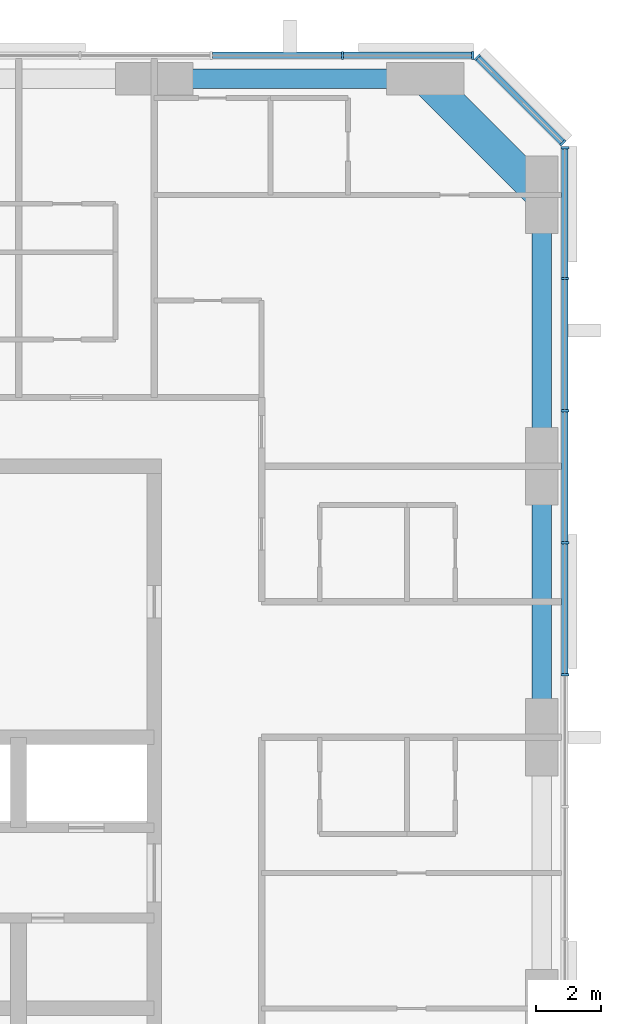
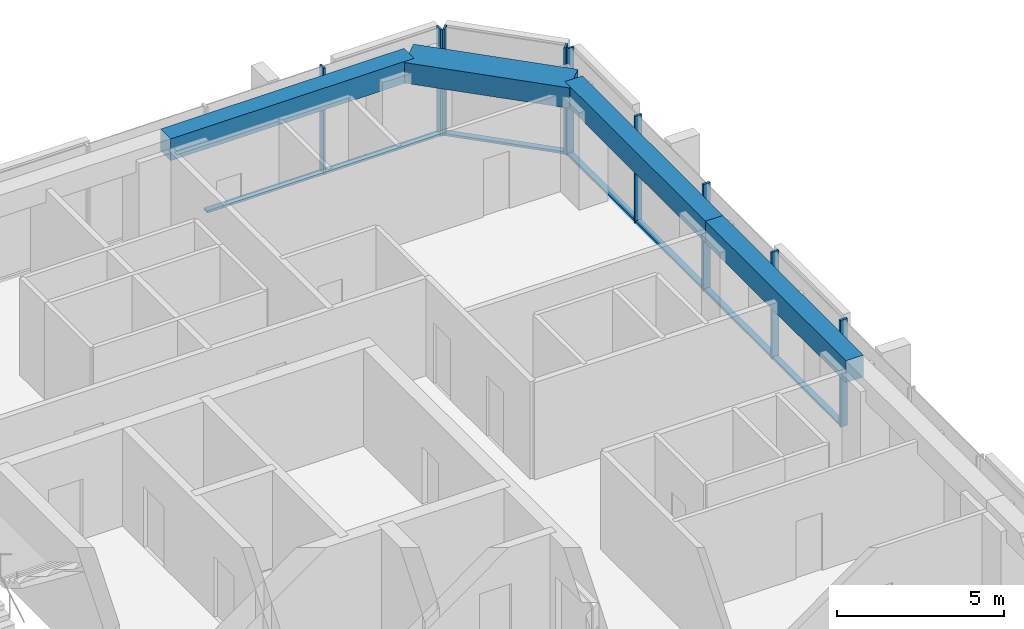
# One storey, part 5 of 12: 16 members, 4 beams, 3 elements without a shape of their own.
"""IFC4 building model written with IfcOpenShell, lengths in metres."""

from ifc_helpers import new_model, si_unit, direction, frame, origin, origin_2d, place, context, subcontext, project, spatial, rectangle, extrude, material, material_profile, profile_set, type_object, element, aggregate, save


model = new_model("IFC4")

# Units and contexts
model_context = context("Model", 3, precision=1e-05, world=origin(), true_north=direction((0.0, 1.0)))
body_context = subcontext(model_context, "Body", "Model", "MODEL_VIEW")
ifc_project = project(units=[si_unit("LENGTHUNIT", "METRE"), si_unit("AREAUNIT", "SQUARE_METRE"), si_unit("VOLUMEUNIT", "CUBIC_METRE"), si_unit("PLANEANGLEUNIT", "RADIAN"), si_unit("MASSUNIT", "GRAM", prefix="KILO")], contexts=[model_context])

# Site, building, storey
site_placement = place(None, origin())
site = spatial("IfcSite", under=ifc_project, at=site_placement, CompositionType="ELEMENT")
building_placement = place(site_placement, origin())
building = spatial("IfcBuilding", under=site, at=building_placement, Name="Dunama Terrace Hotel", CompositionType="ELEMENT")
storey_placement = place(building_placement, frame((0.0, 0.0, 264.60009765625)))
storey = spatial("IfcBuildingStorey", under=building, at=storey_placement, Name="L68", CompositionType="ELEMENT", Elevation=264.60009765625)

# Curtain wall, members
ifc_material_1 = material(Name="Aluminium curtain wall system", Category="aluminium")
curtain_wall_type = type_object("IfcCurtainWallType", Name="Unitised fritted glass wall CW-D", PredefinedType="NOTDEFINED", material=ifc_material_1)
curtain_wall_1_placement = place(storey_placement, origin())
curtain_wall_1 = element("IfcCurtainWall", 1, at=curtain_wall_1_placement, inside=storey, type_object=curtain_wall_type, Name="Unitised fritted glass wall CW-D L68", PredefinedType="NOTDEFINED")
ifc_material_2 = material(Name="Aluminium mullion", Category="aluminium")
ifc_material_profile_1 = material_profile(ifc_material_2, rectangle(XDim=0.070068359375, YDim=0.239990234375, at=origin_2d()), Name="CWD MULLION 70X240")
ifc_profile_set_1 = profile_set([ifc_material_profile_1], Name="Aluminium mullion")
member_type_1 = type_object("IfcMemberType", Name="CWD mullion 70x240", PredefinedType="MULLION", material=ifc_profile_set_1)
member_1_placement = place(storey_placement, frame((54.719970703125, 35.535888671875, 0.0), z_axis=(0.0, 0.0, 1.0), x_axis=(0.0, 1.0, 0.0)))
member_1 = element("IfcMember", 2, at=member_1_placement, type_object=member_type_1, Name="CWD mullion", PredefinedType="MULLION", context=body_context, shape_type="SweptSolid", body=[
    extrude(rectangle(XDim=0.070068359375, YDim=0.239990234375, at=origin_2d()), origin(), (0.0, 0.0, 1.0), 3.89990234375),
])
member_2_placement = place(storey_placement, frame((54.719970703125, 39.626953125, 0.0), z_axis=(0.0, 0.0, 1.0), x_axis=(0.0, 1.0, 0.0)))
member_2 = element("IfcMember", 3, at=member_2_placement, type_object=member_type_1, Name="CWD mullion", PredefinedType="MULLION", context=body_context, shape_type="SweptSolid", body=[
    extrude(rectangle(XDim=0.070068359375, YDim=0.239990234375, at=origin_2d()), origin(), (0.0, 0.0, 1.0), 3.89990234375),
])
member_3_placement = place(storey_placement, frame((54.719970703125, 43.718017578125, 0.0), z_axis=(0.0, 0.0, 1.0), x_axis=(0.0, 1.0, 0.0)))
member_3 = element("IfcMember", 4, at=member_3_placement, type_object=member_type_1, Name="CWD mullion", PredefinedType="MULLION", context=body_context, shape_type="SweptSolid", body=[
    extrude(rectangle(XDim=0.070068359375, YDim=0.239990234375, at=origin_2d()), origin(), (0.0, 0.0, 1.0), 3.89990234375),
])
member_4_placement = place(storey_placement, frame((54.719970703125, 47.80908203125, 0.0), z_axis=(0.0, 0.0, 1.0), x_axis=(0.0, 1.0, 0.0)))
member_4 = element("IfcMember", 5, at=member_4_placement, type_object=member_type_1, Name="CWD mullion", PredefinedType="MULLION", context=body_context, shape_type="SweptSolid", body=[
    extrude(rectangle(XDim=0.070068359375, YDim=0.239990234375, at=origin_2d()), origin(), (0.0, 0.0, 1.0), 3.89990234375),
])
member_5_placement = place(storey_placement, frame((54.719970703125, 51.864990234375, 0.0), z_axis=(0.0, 0.0, 1.0), x_axis=(0.0, 1.0, 0.0)))
member_5 = element("IfcMember", 6, at=member_5_placement, type_object=member_type_1, Name="CWD mullion", PredefinedType="MULLION", context=body_context, shape_type="SweptSolid", body=[
    extrude(rectangle(XDim=0.070068359375, YDim=0.239990234375, at=origin_2d()), origin(), (0.0, 0.0, 1.0), 3.89990234375),
])

curtain_wall_2_placement = place(storey_placement, origin())
curtain_wall_2 = element("IfcCurtainWall", 7, at=curtain_wall_2_placement, inside=storey, type_object=curtain_wall_type, Name="Unitised fritted glass wall CW-D L68", PredefinedType="NOTDEFINED")
member_6_placement = place(storey_placement, frame((54.659912109375, 52.010009765625, 0.0), z_axis=(0.0, 0.0, 1.0), x_axis=(-0.707106781187, 0.707106781187, 0.0)))
member_6 = element("IfcMember", 8, at=member_6_placement, type_object=member_type_1, Name="CWD mullion", PredefinedType="MULLION", context=body_context, shape_type="SweptSolid", body=[
    extrude(rectangle(XDim=0.070068359375, YDim=0.239990234375, at=origin_2d()), origin(), (0.0, 0.0, 1.0), 3.89990234375),
])
member_7_placement = place(storey_placement, frame((52.010009765625, 54.659912109375, 0.0), z_axis=(0.0, 0.0, 1.0), x_axis=(-0.707106781187, 0.707106781187, 0.0)))
member_7 = element("IfcMember", 9, at=member_7_placement, type_object=member_type_1, Name="CWD mullion", PredefinedType="MULLION", context=body_context, shape_type="SweptSolid", body=[
    extrude(rectangle(XDim=0.070068359375, YDim=0.239990234375, at=origin_2d()), origin(), (0.0, 0.0, 1.0), 3.89990234375),
])

curtain_wall_3_placement = place(storey_placement, origin())
curtain_wall_3 = element("IfcCurtainWall", 10, at=curtain_wall_3_placement, inside=storey, type_object=curtain_wall_type, Name="Unitised fritted glass wall CW-D L68", PredefinedType="NOTDEFINED")
member_8_placement = place(storey_placement, frame((51.864990234375, 54.719970703125, 0.0), z_axis=(0.0, 0.0, 1.0), x_axis=(-1.0, 0.0, 0.0)))
member_8 = element("IfcMember", 11, at=member_8_placement, type_object=member_type_1, Name="CWD mullion", PredefinedType="MULLION", context=body_context, shape_type="SweptSolid", body=[
    extrude(rectangle(XDim=0.070068359375, YDim=0.239990234375, at=origin_2d()), origin(), (0.0, 0.0, 1.0), 3.89990234375),
])
member_9_placement = place(storey_placement, frame((47.8330078125, 54.719970703125, 0.0), z_axis=(0.0, 0.0, 1.0), x_axis=(-1.0, 0.0, 0.0)))
member_9 = element("IfcMember", 12, at=member_9_placement, type_object=member_type_1, Name="CWD mullion", PredefinedType="MULLION", context=body_context, shape_type="SweptSolid", body=[
    extrude(rectangle(XDim=0.070068359375, YDim=0.239990234375, at=origin_2d()), origin(), (0.0, 0.0, 1.0), 3.89990234375),
])

# Member
ifc_material_3 = material(Name="Aluminium transom", Category="aluminium")
ifc_material_profile_2 = material_profile(ifc_material_3, rectangle(XDim=0.199951171875, YDim=0.0849609375, at=origin_2d()), Name="CWD TRANSOM 200X85")
ifc_profile_set_2 = profile_set([ifc_material_profile_2], Name="Aluminium transom")
member_type_2 = type_object("IfcMemberType", Name="CWD transom 200x85", PredefinedType="USERDEFINED", material=ifc_profile_set_2)
member_10_placement = place(storey_placement, frame((54.719970703125, 35.571044921875, 0.04248046875), z_axis=(0.0, 1.0, 0.0), x_axis=(-1.0, 0.0, 0.0)))
member_10 = element("IfcMember", 13, at=member_10_placement, type_object=member_type_2, Name="CWD transom", ObjectType="TRANSOM", PredefinedType="USERDEFINED", context=body_context, shape_type="SweptSolid", body=[
    extrude(rectangle(XDim=0.199951171875, YDim=0.0849609375, at=origin_2d()), origin(), (0.0, 0.0, 1.0), 4.02099609375),
])

member_11_placement = place(storey_placement, frame((54.719970703125, 39.662109375, 0.04248046875), z_axis=(0.0, 1.0, 0.0), x_axis=(-1.0, 0.0, 0.0)))
member_11 = element("IfcMember", 14, at=member_11_placement, type_object=member_type_2, Name="CWD transom", ObjectType="TRANSOM", PredefinedType="USERDEFINED", context=body_context, shape_type="SweptSolid", body=[
    extrude(rectangle(XDim=0.199951171875, YDim=0.0849609375, at=origin_2d()), origin(), (0.0, 0.0, 1.0), 4.02099609375),
])

member_12_placement = place(storey_placement, frame((54.719970703125, 43.7529296875, 0.04248046875), z_axis=(0.0, 1.0, 0.0), x_axis=(-1.0, 0.0, 0.0)))
member_12 = element("IfcMember", 15, at=member_12_placement, type_object=member_type_2, Name="CWD transom", ObjectType="TRANSOM", PredefinedType="USERDEFINED", context=body_context, shape_type="SweptSolid", body=[
    extrude(rectangle(XDim=0.199951171875, YDim=0.0849609375, at=origin_2d()), origin(), (0.0, 0.0, 1.0), 4.02099609375),
])

member_13_placement = place(storey_placement, frame((54.719970703125, 47.843994140625, 0.04248046875), z_axis=(0.0, 1.0, 0.0), x_axis=(-1.0, 0.0, 0.0)))
member_13 = element("IfcMember", 16, at=member_13_placement, type_object=member_type_2, Name="CWD transom", ObjectType="TRANSOM", PredefinedType="USERDEFINED", context=body_context, shape_type="SweptSolid", body=[
    extrude(rectangle(XDim=0.199951171875, YDim=0.0849609375, at=origin_2d()), origin(), (0.0, 0.0, 1.0), 3.986083984375),
])

aggregate(curtain_wall_1, [member_1, member_2, member_3, member_4, member_5, member_10, member_11, member_12, member_13])

member_14_placement = place(storey_placement, frame((54.635009765625, 52.033935546875, 0.04248046875), z_axis=(-0.707106781187, 0.707106781187, 0.0), x_axis=(-0.707106781187, -0.707106781187, 0.0)))
member_14 = element("IfcMember", 17, at=member_14_placement, type_object=member_type_2, Name="CWD transom", ObjectType="TRANSOM", PredefinedType="USERDEFINED", context=body_context, shape_type="SweptSolid", body=[
    extrude(rectangle(XDim=0.199951171875, YDim=0.0849609375, at=origin_2d()), origin(), (0.0, 0.0, 1.0), 3.678466796875),
])

aggregate(curtain_wall_2, [member_6, member_7, member_14])

member_15_placement = place(storey_placement, frame((51.830078125, 54.719970703125, 0.04248046875), z_axis=(-1.0, 0.0, 0.0), x_axis=(0.0, -1.0, 0.0)))
member_15 = element("IfcMember", 18, at=member_15_placement, type_object=member_type_2, Name="CWD transom", ObjectType="TRANSOM", PredefinedType="USERDEFINED", context=body_context, shape_type="SweptSolid", body=[
    extrude(rectangle(XDim=0.199951171875, YDim=0.0849609375, at=origin_2d()), origin(), (0.0, 0.0, 1.0), 3.962158203125),
])

member_16_placement = place(storey_placement, frame((47.798095703125, 54.719970703125, 0.04248046875), z_axis=(-1.0, 0.0, 0.0), x_axis=(0.0, -1.0, 0.0)))
member_16 = element("IfcMember", 19, at=member_16_placement, type_object=member_type_2, Name="CWD transom", ObjectType="TRANSOM", PredefinedType="USERDEFINED", context=body_context, shape_type="SweptSolid", body=[
    extrude(rectangle(XDim=0.199951171875, YDim=0.0849609375, at=origin_2d()), origin(), (0.0, 0.0, 1.0), 3.99609375),
])

aggregate(curtain_wall_3, [member_8, member_9, member_15, member_16])

# Beams
ifc_material_4 = material(Name="Concrete C50/60", Category="concrete")
ifc_material_profile_3 = material_profile(ifc_material_4, rectangle(XDim=1.0, YDim=0.75, at=origin_2d()), Name="RC 1000x750")
ifc_profile_set_3 = profile_set([ifc_material_profile_3], Name="Concrete C50/60")
beam_type_1 = type_object("IfcBeamType", Name="Edge beam RC 1000x750", PredefinedType="SPANDREL", material=ifc_profile_set_3)
beam_placement = place(storey_placement, frame((50.39990234375, 54.0, 3.52490234375), z_axis=(0.707106781187, -0.707106781187, 0.0), x_axis=(0.707106781187, 0.707106781187, 0.0)))
element("IfcBeam", 20, at=beam_placement, inside=storey, type_object=beam_type_1, Name="Corner edge beam under L69", PredefinedType="SPANDREL", context=body_context, shape_type="SweptSolid", body=[
    extrude(rectangle(XDim=1.0, YDim=0.75, at=origin_2d()), origin(), (0.0, 0.0, 1.0), 5.09130859375),
])
ifc_material_5 = material(Name="Concrete C40/50", Category="concrete")
ifc_material_profile_4 = material_profile(ifc_material_5, rectangle(XDim=0.60009765625, YDim=0.800048828125, at=origin_2d()), Name="RC 600x800")
ifc_profile_set_4 = profile_set([ifc_material_profile_4], Name="Concrete C40/50")
beam_type_2 = type_object("IfcBeamType", Name="Edge beam RC 600x800", PredefinedType="SPANDREL", material=ifc_profile_set_4)
for number, where, z_axis, x_axis, name in (
    (21, (54.0, 33.60009765625, 3.5), (0.0, 1.0, 0.0), (-1.0, 0.0, 0.0), "Edge beam under L69"),
    (22, (54.0, 42.0, 3.5), (0.0, 1.0, 0.0), (-1.0, 0.0, 0.0), "Edge beam under L69"),
    (23, (42.0, 54.0, 3.5), (1.0, 0.0, 0.0), (0.0, 1.0, 0.0), "Edge beam under L69"),
):
    element("IfcBeam", number, at=place(storey_placement, frame(where, z_axis=z_axis, x_axis=x_axis)), inside=storey, type_object=beam_type_2, Name=name, PredefinedType="SPANDREL", context=body_context, shape_type="SweptSolid", body=[
        extrude(rectangle(XDim=0.60009765625, YDim=0.800048828125, at=origin_2d()), origin(), (0.0, 0.0, 1.0), 8.39990234375),
    ])

save(model, "model.ifc")
